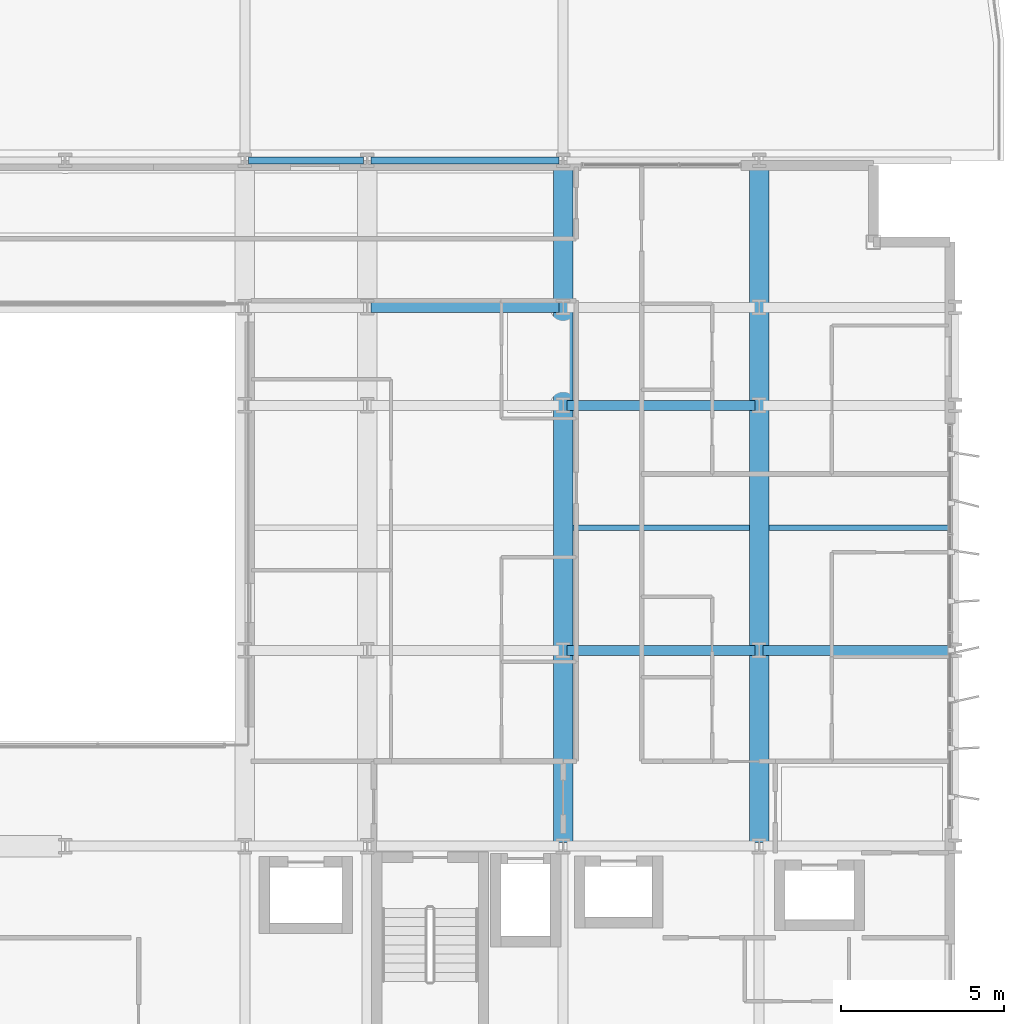
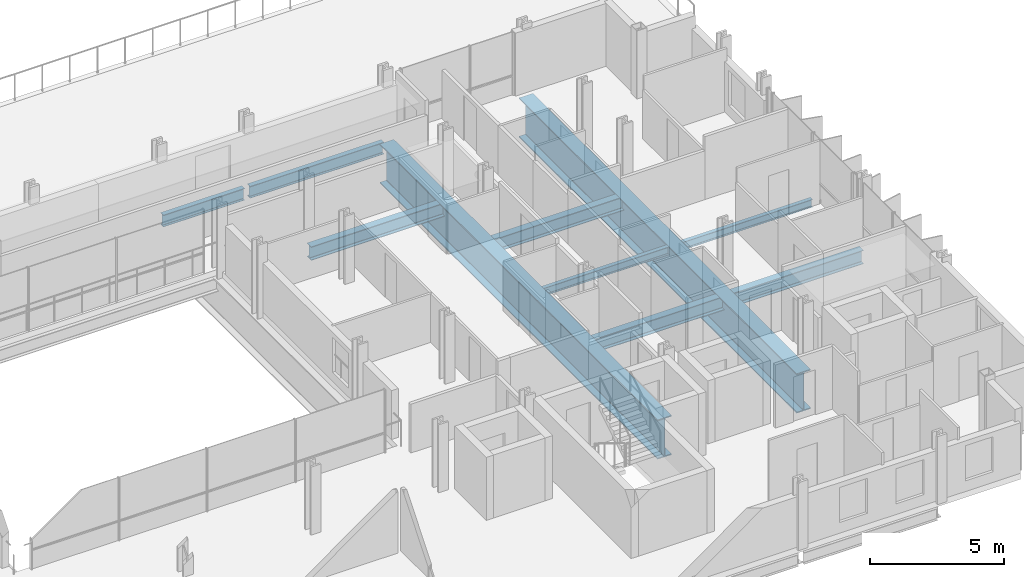
# One storey, part 18 of 38: 10 beams.
"""IFC4 building model written with IfcOpenShell, lengths in metres."""

from ifc_helpers import new_model, si_unit, direction, frame, origin, origin_2d, place, context, subcontext, project, spatial, i_section, extrude, material, material_profile, profile_set, type_object, element, save


model = new_model("IFC4")

# Units and contexts
model_context = context("Model", 3, precision=1e-05, world=origin(), true_north=direction((0.0, 1.0)))
body_context = subcontext(model_context, "Body", "Model", "MODEL_VIEW")
ifc_project = project(units=[si_unit("LENGTHUNIT", "METRE"), si_unit("AREAUNIT", "SQUARE_METRE"), si_unit("VOLUMEUNIT", "CUBIC_METRE"), si_unit("PLANEANGLEUNIT", "RADIAN"), si_unit("MASSUNIT", "GRAM", prefix="KILO")], contexts=[model_context])

# Site, building, storey
site_placement = place(None, origin())
site = spatial("IfcSite", under=ifc_project, at=site_placement, CompositionType="ELEMENT")
building_placement = place(site_placement, origin())
building = spatial("IfcBuilding", under=site, at=building_placement, Name="Brevholm Reach", CompositionType="ELEMENT")
storey_placement = place(building_placement, frame((0.0, 0.0, 28.0)))
storey = spatial("IfcBuildingStorey", under=building, at=storey_placement, Name="L06", CompositionType="ELEMENT", Elevation=28.0)

# Beams
ifc_material_1 = material(Name="Structural Steel S355J2", Category="steel")
ifc_material_profile_1 = material_profile(ifc_material_1, i_section(OverallWidth=0.17138671875, OverallDepth=0.35498046875, WebThickness=0.00732421875, FlangeThickness=0.011474609375, FilletRadius=0.01025390625, at=origin_2d()), Name="UKB 356x171x51")
ifc_profile_set_1 = profile_set([ifc_material_profile_1], Name="Structural Steel S355J2")
beam_type_1 = type_object("IfcBeamType", Name="BM-B356", PredefinedType="BEAM", material=ifc_profile_set_1)
beam_1_placement = place(storey_placement, frame((48.300048828125, 19.75, -0.447509765625), z_axis=(1.0, 0.0, 0.0), x_axis=(0.0, 1.0, 0.0)))
element("IfcBeam", 1, at=beam_1_placement, inside=storey, type_object=beam_type_1, Name="L06 Composite Secondary Floor Beam", PredefinedType="BEAM", context=body_context, shape_type="SweptSolid", body=[
    extrude(i_section(OverallWidth=0.17138671875, OverallDepth=0.35498046875, WebThickness=0.00732421875, FlangeThickness=0.011474609375, FilletRadius=0.01025390625, at=origin_2d()), origin(), (0.0, 0.0, 1.0), 5.39990234375),
])
beam_2_placement = place(storey_placement, frame((54.300048828125, 19.75, -0.447509765625), z_axis=(1.0, 0.0, 0.0), x_axis=(0.0, 1.0, 0.0)))
element("IfcBeam", 2, at=beam_2_placement, inside=storey, type_object=beam_type_1, Name="L06 Composite Secondary Floor Beam", PredefinedType="BEAM", context=body_context, shape_type="SweptSolid", body=[
    extrude(i_section(OverallWidth=0.17138671875, OverallDepth=0.35498046875, WebThickness=0.00732421875, FlangeThickness=0.011474609375, FilletRadius=0.01025390625, at=origin_2d()), origin(), (0.0, 0.0, 1.0), 5.594482421875),
])
ifc_material_2 = material(Name="Structural Steel S460ML", Category="steel")
ifc_material_profile_2 = material_profile(ifc_material_2, i_section(OverallWidth=0.60009765625, OverallDepth=1.800048828125, WebThickness=0.034912109375, FlangeThickness=0.050048828125, FilletRadius=0.02392578125, at=origin_2d()), Name="PG 1800x600x50")
ifc_profile_set_2 = profile_set([ifc_material_profile_2], Name="Structural Steel S460ML")
beam_type_2 = type_object("IfcBeamType", Name="BM-PG1800", PredefinedType="USERDEFINED", material=ifc_profile_set_2)
for number, where, z_axis, x_axis, name in (
    (3, (48.0, 10.1201171875, -1.169921875), (0.0, 1.0, 0.0), (-1.0, 0.0, 0.0), "L06 TG-01 Framing Beam"),
    (4, (54.0, 10.1201171875, -1.169921875), (0.0, 1.0, 0.0), (-1.0, 0.0, 0.0), "L06 TG-01 Framing Beam"),
):
    element("IfcBeam", number, at=place(storey_placement, frame(where, z_axis=z_axis, x_axis=x_axis)), inside=storey, type_object=beam_type_2, Name=name, ObjectType="GIRDER", PredefinedType="USERDEFINED", context=body_context, shape_type="SweptSolid", body=[
        extrude(i_section(OverallWidth=0.60009765625, OverallDepth=1.800048828125, WebThickness=0.034912109375, FlangeThickness=0.050048828125, FilletRadius=0.02392578125, at=origin_2d()), origin(), (0.0, 0.0, 1.0), 20.759765625),
    ])
ifc_material_3 = material(Name="Structural Steel S355J2", Category="steel")
ifc_material_profile_3 = material_profile(ifc_material_3, i_section(OverallWidth=0.210693359375, OverallDepth=0.53955078125, WebThickness=0.01171875, FlangeThickness=0.018798828125, FilletRadius=0.0126953125, at=origin_2d()), Name="UKB 533x210x109")
ifc_profile_set_3 = profile_set([ifc_material_profile_3], Name="Structural Steel S355J2")
beam_type_3 = type_object("IfcBeamType", Name="BM-SP539", PredefinedType="SPANDREL", material=ifc_profile_set_3)
beam_3_placement = place(storey_placement, frame((38.3701171875, 31.0, -0.539794921875), z_axis=(1.0, 0.0, 0.0), x_axis=(0.0, 1.0, 0.0)))
element("IfcBeam", 5, at=beam_3_placement, inside=storey, type_object=beam_type_3, Name="L06 SP-01B Framing Beam", PredefinedType="SPANDREL", context=body_context, shape_type="SweptSolid", body=[
    extrude(i_section(OverallWidth=0.210693359375, OverallDepth=0.53955078125, WebThickness=0.01171875, FlangeThickness=0.018798828125, FilletRadius=0.0126953125, at=origin_2d()), origin(), (0.0, 0.0, 1.0), 3.509765625),
])
beam_4_placement = place(storey_placement, frame((42.1201171875, 31.0, -0.539794921875), z_axis=(1.0, 0.0, 0.0), x_axis=(0.0, 1.0, 0.0)))
element("IfcBeam", 6, at=beam_4_placement, inside=storey, type_object=beam_type_3, Name="L06 SP-01B Framing Beam", PredefinedType="SPANDREL", context=body_context, shape_type="SweptSolid", body=[
    extrude(i_section(OverallWidth=0.210693359375, OverallDepth=0.53955078125, WebThickness=0.01171875, FlangeThickness=0.018798828125, FilletRadius=0.0126953125, at=origin_2d()), origin(), (0.0, 0.0, 1.0), 5.759765625),
])
ifc_material_4 = material(Name="Structural Steel S355J2", Category="steel")
ifc_material_profile_4 = material_profile(ifc_material_4, i_section(OverallWidth=0.30712890625, OverallDepth=0.6201171875, WebThickness=0.01416015625, FlangeThickness=0.023681640625, FilletRadius=0.0166015625, at=origin_2d()), Name="UKB 610x305x179")
ifc_profile_set_4 = profile_set([ifc_material_profile_4], Name="Structural Steel S355J2")
beam_type_4 = type_object("IfcBeamType", Name="BM-UKB610H", PredefinedType="USERDEFINED", material=ifc_profile_set_4)
for number, where, z_axis, x_axis, name in (
    (7, (48.1201171875, 16.0, -0.580078125), (1.0, 0.0, 0.0), (0.0, 1.0, 0.0), "L06 G-06 Framing Beam"),
    (8, (54.1201171875, 16.0, -0.580078125), (1.0, 0.0, 0.0), (0.0, 1.0, 0.0), "L06 G-06 Framing Beam"),
    (9, (48.1201171875, 23.5, -0.580078125), (1.0, 0.0, 0.0), (0.0, 1.0, 0.0), "L06 G-06 Framing Beam"),
    (10, (42.1201171875, 26.5, -0.580078125), (1.0, 0.0, 0.0), (0.0, 1.0, 0.0), "L06 G-06 Framing Beam"),
):
    element("IfcBeam", number, at=place(storey_placement, frame(where, z_axis=z_axis, x_axis=x_axis)), inside=storey, type_object=beam_type_4, Name=name, ObjectType="GIRDER", PredefinedType="USERDEFINED", context=body_context, shape_type="SweptSolid", body=[
        extrude(i_section(OverallWidth=0.30712890625, OverallDepth=0.6201171875, WebThickness=0.01416015625, FlangeThickness=0.023681640625, FilletRadius=0.0166015625, at=origin_2d()), origin(), (0.0, 0.0, 1.0), 5.759765625),
    ])

save(model, "model.ifc")
